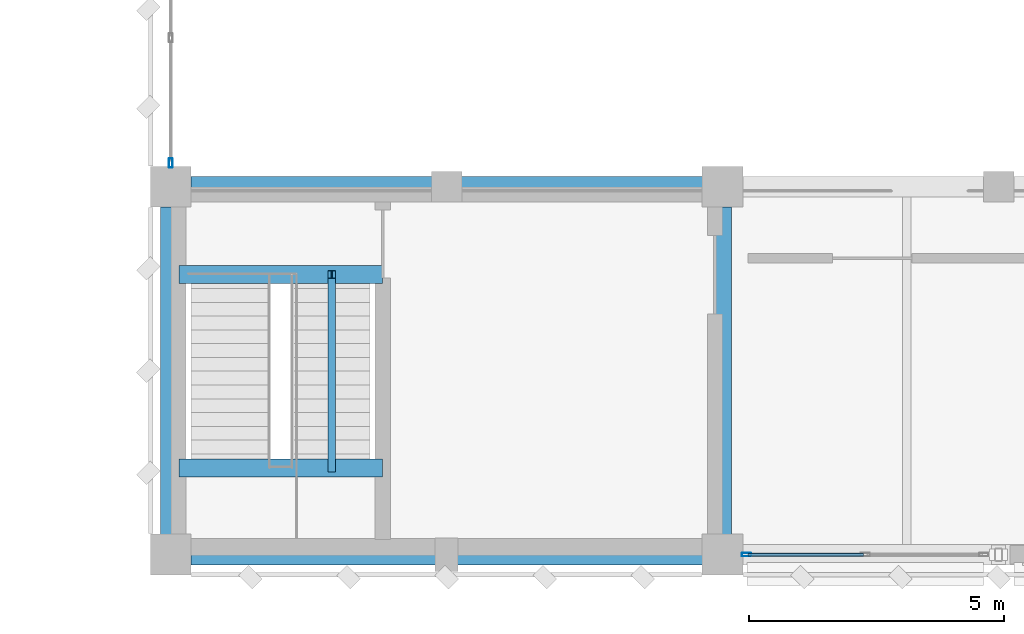
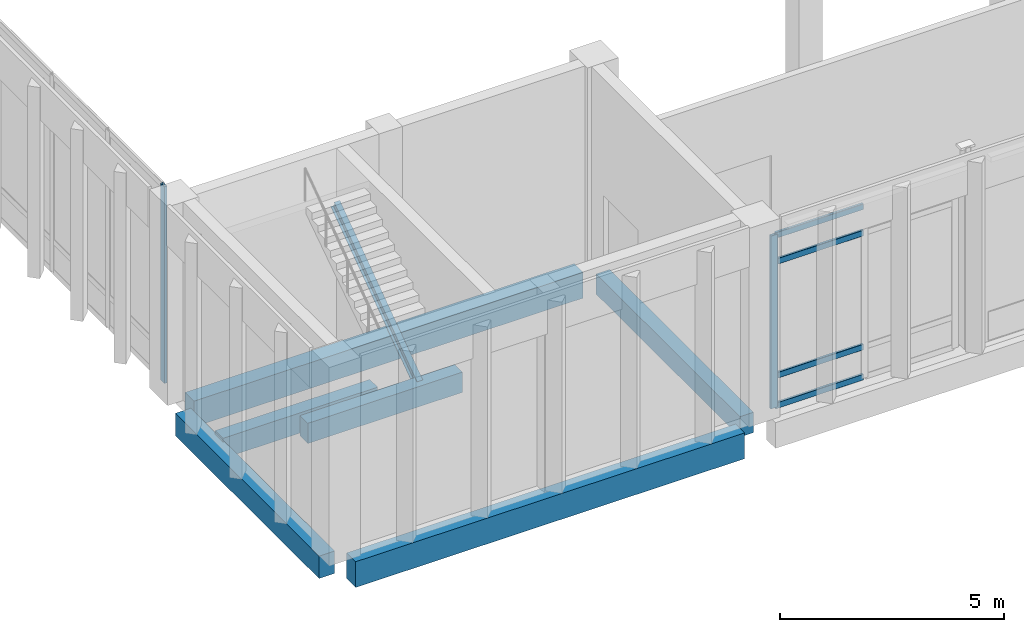
# One storey, part 8 of 180: 7 beams, 6 members, 2 elements without a shape of their own.
"""IFC4 building model written with IfcOpenShell, lengths in metres."""

from ifc_helpers import new_model, si_unit, direction, frame, origin, origin_2d, place, context, subcontext, project, spatial, rectangle, hollow_rectangle, i_section, extrude, material, material_profile, profile_set, type_object, element, aggregate, save


model = new_model("IFC4")

# Units and contexts
model_context = context("Model", 3, precision=1e-05, world=origin(), true_north=direction((0.0, 1.0)))
body_context = subcontext(model_context, "Body", "Model", "MODEL_VIEW")
ifc_project = project(units=[si_unit("LENGTHUNIT", "METRE"), si_unit("AREAUNIT", "SQUARE_METRE"), si_unit("VOLUMEUNIT", "CUBIC_METRE"), si_unit("PLANEANGLEUNIT", "RADIAN"), si_unit("MASSUNIT", "GRAM", prefix="KILO")], contexts=[model_context])

# Site, building, storey
site_placement = place(None, origin())
site = spatial("IfcSite", under=ifc_project, at=site_placement, CompositionType="ELEMENT")
building_placement = place(site_placement, origin())
building = spatial("IfcBuilding", under=site, at=building_placement, Name="Lusvemor Sports Hall", CompositionType="ELEMENT")
storey_placement = place(building_placement, frame((0.0, 0.0, 5.39990234375)))
storey = spatial("IfcBuildingStorey", under=building, at=storey_placement, Name="L01", CompositionType="ELEMENT", Elevation=5.39990234375)

# Beams
ifc_material_1 = material(Name="Concrete C40/50", Category="concrete")
ifc_material_profile_1 = material_profile(ifc_material_1, rectangle(XDim=0.35009765625, YDim=0.550048828125, at=origin_2d()), Name="RC350x550")
ifc_profile_set_1 = profile_set([ifc_material_profile_1], Name="Concrete C40/50")
beam_type_1 = type_object("IfcBeamType", Name="BEAM_RC_550", PredefinedType="BEAM", material=ifc_profile_set_1)
beam_1_placement = place(storey_placement, frame((10.800048828125, 0.39599609375, -0.554931640625), z_axis=(0.0, 1.0, 0.0), x_axis=(-1.0, 0.0, 0.0)))
element("IfcBeam", 1, at=beam_1_placement, inside=storey, type_object=beam_type_1, Name="Beam L01 2:A-B", PredefinedType="BEAM", context=body_context, shape_type="SweptSolid", body=[
    extrude(rectangle(XDim=0.35009765625, YDim=0.550048828125, at=origin_2d()), origin(), (0.0, 0.0, 1.0), 6.407958984375),
])
for number, where, z_axis, x_axis, name in (
    (2, (0.159912109375, 5.47998046875, -0.454833984375), (1.0, 0.0, 0.0), (0.0, 1.0, 0.0), "Stair STR-C6-L00 Top-Landing Beam"),
    (3, (0.159912109375, 1.699951171875, 2.2451171875), (1.0, 0.0, 0.0), (0.0, 1.0, 0.0), "Stair STR-C6-L01 Mid-Landing Beam"),
):
    element("IfcBeam", number, at=place(storey_placement, frame(where, z_axis=z_axis, x_axis=x_axis)), inside=storey, type_object=beam_type_1, Name=name, PredefinedType="BEAM", context=body_context, shape_type="SweptSolid", body=[
        extrude(rectangle(XDim=0.35009765625, YDim=0.550048828125, at=origin_2d()), origin(), (0.0, 0.0, 1.0), 3.97998046875),
    ])

# Curtain wall, member
ifc_material_2 = material(Name="Thermally broken bronze-anodized aluminium", Category="aluminium")
curtain_wall_type = type_object("IfcCurtainWallType", Name="CW_COURT_C", PredefinedType="NOTDEFINED", material=ifc_material_2)
curtain_wall_1_placement = place(storey_placement, origin())
curtain_wall_1 = element("IfcCurtainWall", 4, at=curtain_wall_1_placement, inside=storey, type_object=curtain_wall_type, Name="Curtain Wall CW-V1S-L01-1-1", PredefinedType="NOTDEFINED")
ifc_material_3 = material(Name="Thermally broken bronze-anodized aluminium", Category="aluminium")
ifc_material_profile_2 = material_profile(ifc_material_3, hollow_rectangle(XDim=0.070068359375, YDim=0.179931640625, WallThickness=0.0048828125, InnerFilletRadius=0.0048828125, OuterFilletRadius=0.010009765625, at=origin_2d()), Name="CWMUL180x70x5")
ifc_profile_set_2 = profile_set([ifc_material_profile_2], Name="Thermally broken bronze-anodized aluminium")
member_type_1 = type_object("IfcMemberType", Name="CW_MUL_A", PredefinedType="MULLION", material=ifc_profile_set_2)
member_1_placement = place(storey_placement, frame((11.264892578125, 0.0, 0.0), z_axis=(0.0, 0.0, 1.0), x_axis=(0.0, -1.0, 0.0)))
member_1 = element("IfcMember", 5, at=member_1_placement, type_object=member_type_1, Name="CW03 mullion 3", PredefinedType="MULLION", context=body_context, shape_type="SweptSolid", body=[
    extrude(hollow_rectangle(XDim=0.070068359375, YDim=0.179931640625, WallThickness=0.0048828125, InnerFilletRadius=0.0048828125, OuterFilletRadius=0.010009765625, at=origin_2d()), origin(), (0.0, 0.0, 1.0), 4.7001953125),
])

curtain_wall_2_placement = place(storey_placement, origin())
curtain_wall_2 = element("IfcCurtainWall", 6, at=curtain_wall_2_placement, inside=storey, type_object=curtain_wall_type, Name="Curtain Wall CW-V1W-L01-2", PredefinedType="NOTDEFINED")
member_2_placement = place(storey_placement, frame((0.0, 7.6650390625, 0.0), z_axis=(0.0, 0.0, 1.0), x_axis=(-1.0, 0.0, 0.0)))
member_2 = element("IfcMember", 7, at=member_2_placement, type_object=member_type_1, Name="CW03 mullion 1", PredefinedType="MULLION", context=body_context, shape_type="SweptSolid", body=[
    extrude(hollow_rectangle(XDim=0.070068359375, YDim=0.179931640625, WallThickness=0.0048828125, InnerFilletRadius=0.0048828125, OuterFilletRadius=0.010009765625, at=origin_2d()), origin(), (0.0, 0.0, 1.0), 5.35009765625),
])
aggregate(curtain_wall_2, [member_2])

# Member
ifc_material_4 = material(Name="Thermally broken bronze-anodized aluminium", Category="aluminium")
ifc_material_profile_3 = material_profile(ifc_material_4, hollow_rectangle(XDim=0.06494140625, YDim=0.159912109375, WallThickness=0.00390625, InnerFilletRadius=0.00390625, OuterFilletRadius=0.008056640625, at=origin_2d()), Name="CWTRN160x65x4")
ifc_profile_set_3 = profile_set([ifc_material_profile_3], Name="Thermally broken bronze-anodized aluminium")
member_type_2 = type_object("IfcMemberType", Name="CW_TRN_A", PredefinedType="USERDEFINED", material=ifc_profile_set_3)
member_3_placement = place(storey_placement, frame((13.554931640625, 0.0, 0.03271484375), z_axis=(-1.0, 0.0, 0.0), x_axis=(0.0, -1.0, 0.0)))
member_3 = element("IfcMember", 8, at=member_3_placement, type_object=member_type_2, Name="CW03 transom 2.1", ObjectType="TRANSOM", PredefinedType="USERDEFINED", context=body_context, shape_type="SweptSolid", body=[
    extrude(hollow_rectangle(XDim=0.06494140625, YDim=0.159912109375, WallThickness=0.00390625, InnerFilletRadius=0.00390625, OuterFilletRadius=0.008056640625, at=origin_2d()), origin(), (0.0, 0.0, 1.0), 2.2548828125),
])

member_4_placement = place(storey_placement, frame((13.554931640625, 0.0, 0.85009765625), z_axis=(-1.0, 0.0, 0.0), x_axis=(0.0, -1.0, 0.0)))
member_4 = element("IfcMember", 9, at=member_4_placement, type_object=member_type_2, Name="CW03 transom 2.2", ObjectType="TRANSOM", PredefinedType="USERDEFINED", context=body_context, shape_type="SweptSolid", body=[
    extrude(hollow_rectangle(XDim=0.06494140625, YDim=0.159912109375, WallThickness=0.00390625, InnerFilletRadius=0.00390625, OuterFilletRadius=0.008056640625, at=origin_2d()), origin(), (0.0, 0.0, 1.0), 2.2548828125),
])

member_5_placement = place(storey_placement, frame((13.554931640625, 0.0, 3.9501953125), z_axis=(-1.0, 0.0, 0.0), x_axis=(0.0, -1.0, 0.0)))
member_5 = element("IfcMember", 10, at=member_5_placement, type_object=member_type_2, Name="CW03 transom 2.3", ObjectType="TRANSOM", PredefinedType="USERDEFINED", context=body_context, shape_type="SweptSolid", body=[
    extrude(hollow_rectangle(XDim=0.06494140625, YDim=0.159912109375, WallThickness=0.00390625, InnerFilletRadius=0.00390625, OuterFilletRadius=0.008056640625, at=origin_2d()), origin(), (0.0, 0.0, 1.0), 2.2548828125),
])

member_6_placement = place(storey_placement, frame((13.554931640625, 0.0, 4.66748046875), z_axis=(-1.0, 0.0, 0.0), x_axis=(0.0, -1.0, 0.0)))
member_6 = element("IfcMember", 11, at=member_6_placement, type_object=member_type_2, Name="CW03 transom 2.4", ObjectType="TRANSOM", PredefinedType="USERDEFINED", context=body_context, shape_type="SweptSolid", body=[
    extrude(hollow_rectangle(XDim=0.06494140625, YDim=0.159912109375, WallThickness=0.00390625, InnerFilletRadius=0.00390625, OuterFilletRadius=0.008056640625, at=origin_2d()), origin(), (0.0, 0.0, 1.0), 2.2548828125),
])

aggregate(curtain_wall_1, [member_1, member_3, member_4, member_5, member_6])

# Beams
ifc_material_5 = material(Name="Steel S355", Category="steel")
ifc_material_profile_4 = material_profile(ifc_material_5, i_section(OverallWidth=0.14794921875, OverallDepth=0.26611328125, WebThickness=0.007568359375, FlangeThickness=0.012939453125, FilletRadius=0.012939453125, at=origin_2d()), Name="W250x44.8")
ifc_profile_set_4 = profile_set([ifc_material_profile_4], Name="Steel S355")
beam_type_2 = type_object("IfcBeamType", Name="JOIST_ST_250M", PredefinedType="JOIST", material=ifc_profile_set_4)
beam_2_placement = place(storey_placement, frame((3.14990234375, 1.699951171875, 2.35498046875), z_axis=(0.0, 0.813715715614, 0.581263050746), x_axis=(-1.0, 0.0, 0.0)))
element("IfcBeam", 12, at=beam_2_placement, inside=storey, type_object=beam_type_2, Name="Stair STR-C6-L01 Flight 2 Stringer Beam", PredefinedType="JOIST", context=body_context, shape_type="SweptSolid", body=[
    extrude(i_section(OverallWidth=0.14794921875, OverallDepth=0.26611328125, WebThickness=0.007568359375, FlangeThickness=0.012939453125, FilletRadius=0.012939453125, at=origin_2d()), origin(), (0.0, 0.0, 1.0), 4.6455078125),
])
ifc_material_6 = material(Name="Concrete C40/50", Category="concrete")
ifc_material_profile_5 = material_profile(ifc_material_6, rectangle(XDim=0.39990234375, YDim=0.610107421875, at=origin_2d()), Name="RC400x610")
ifc_profile_set_5 = profile_set([ifc_material_profile_5], Name="Concrete C40/50")
beam_type_3 = type_object("IfcBeamType", Name="SPAND_EXT_650", PredefinedType="SPANDREL", material=ifc_profile_set_5)
beam_3_placement = place(storey_placement, frame((0.0, 0.39599609375, -0.5849609375), z_axis=(0.0, 1.0, 0.0), x_axis=(-1.0, 0.0, 0.0)))
element("IfcBeam", 13, at=beam_3_placement, inside=storey, type_object=beam_type_3, Name="Beam L01 1:A-B", PredefinedType="SPANDREL", context=body_context, shape_type="SweptSolid", body=[
    extrude(rectangle(XDim=0.39990234375, YDim=0.610107421875, at=origin_2d()), origin(), (0.0, 0.0, 1.0), 6.407958984375),
])
ifc_material_7 = material(Name="Concrete C40/50", Category="concrete")
ifc_material_profile_6 = material_profile(ifc_material_7, rectangle(XDim=0.39990234375, YDim=0.699951171875, at=origin_2d()), Name="RC400x700")
ifc_profile_set_6 = profile_set([ifc_material_profile_6], Name="Concrete C40/50")
beam_type_4 = type_object("IfcBeamType", Name="SPAND_EXT_700", PredefinedType="SPANDREL", material=ifc_profile_set_6)
for number, where, z_axis, x_axis, name in (
    (14, (0.39599609375, 0.0, -0.6298828125), (1.0, 0.0, 0.0), (0.0, 1.0, 0.0), "Beam L01 A:1-2"),
    (15, (0.39599609375, 7.199951171875, -0.6298828125), (1.0, 0.0, 0.0), (0.0, 1.0, 0.0), "Beam L01 B:1-2"),
):
    element("IfcBeam", number, at=place(storey_placement, frame(where, z_axis=z_axis, x_axis=x_axis)), inside=storey, type_object=beam_type_4, Name=name, PredefinedType="SPANDREL", context=body_context, shape_type="SweptSolid", body=[
        extrude(rectangle(XDim=0.39990234375, YDim=0.699951171875, at=origin_2d()), origin(), (0.0, 0.0, 1.0), 10.008056640625),
    ])

save(model, "model.ifc")
